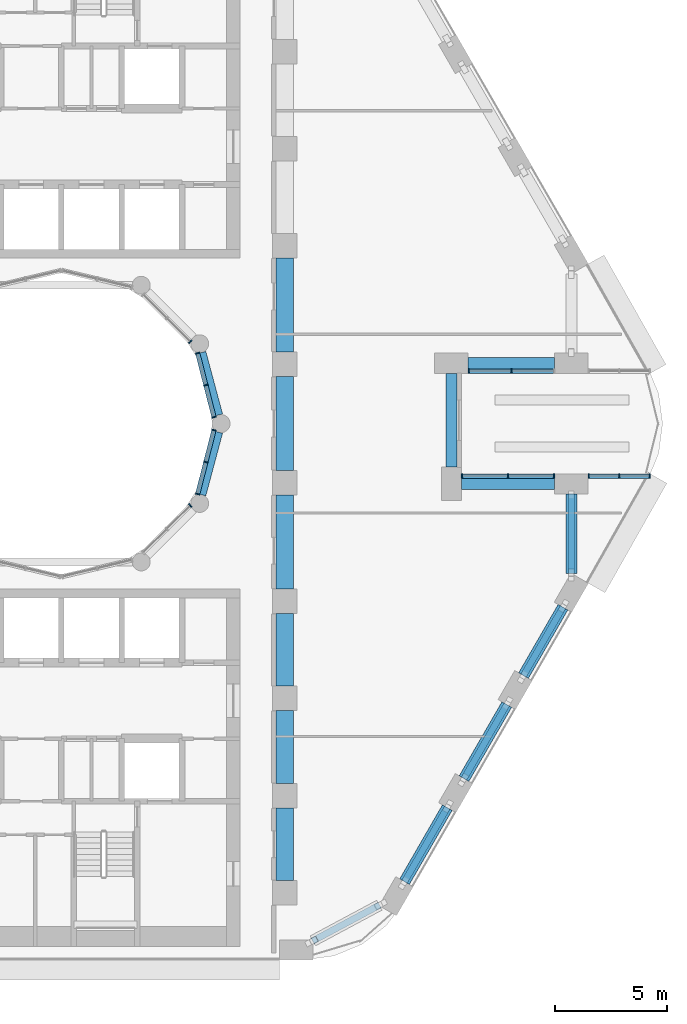
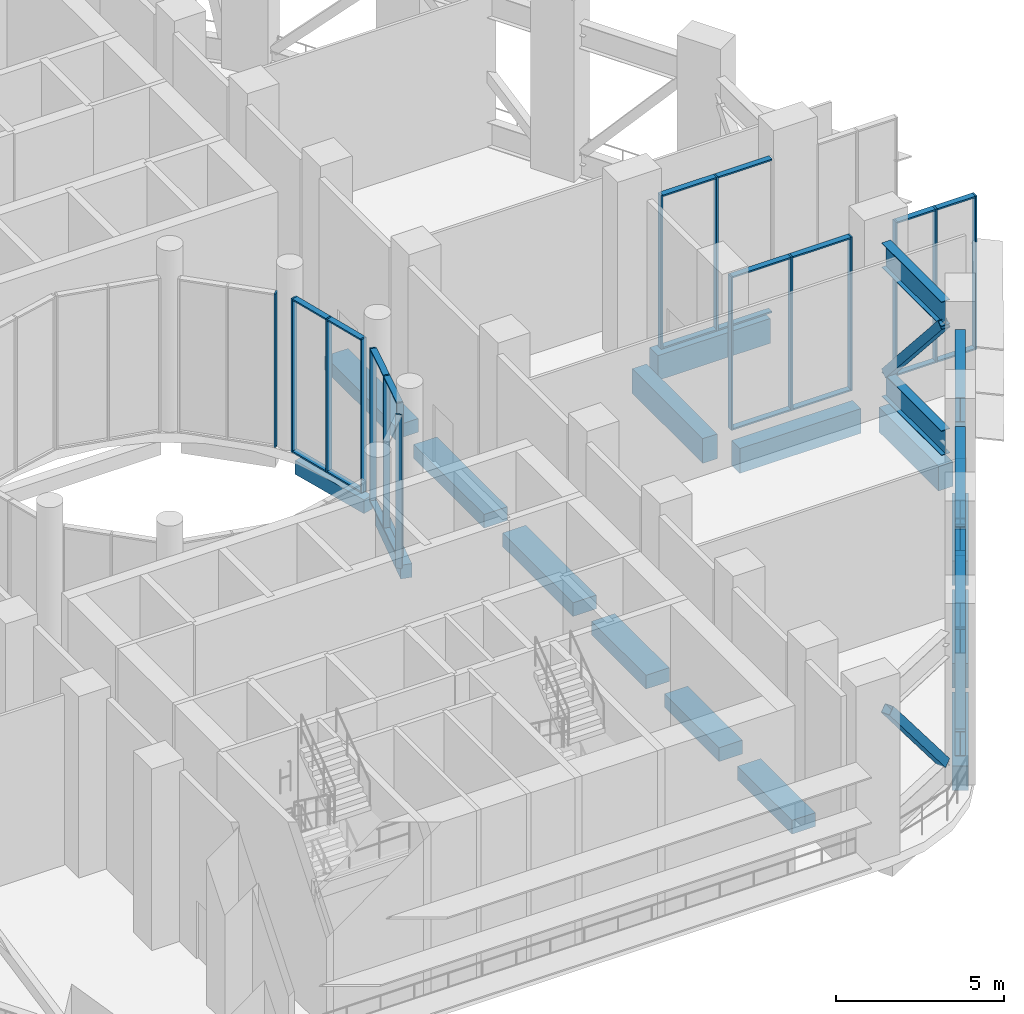
# One storey, part 4 of 20: 49 members, 15 beams, 7 elements without a shape of their own.
"""IFC4 building model written with IfcOpenShell, lengths in metres."""

import ifcopenshell
import ifcopenshell.guid

model = None  # the IFC model being written
_history = None  # IfcOwnerHistory: only IFC2X3 demands one
_inside = {}  # id of a spatial element -> (the spatial element, [elements in it])
_under = {}  # id of a project, library or spatial element -> (it, [spatial elements below it])
_declared = {}  # id of a project -> (the project, [libraries it declares])
_typed = {}  # id of a type object -> (the type object, [elements of that type])
_made_of = {}  # id of a material, layer set ... -> (it, [elements and type objects made of it])


def new_model(schema):
    """Start an empty IFC model of exactly this schema.

    Asked for "IFC4X3", IfcOpenShell would pick the latest addendum, in which some entities
    have other attributes; the version numbers below select the first issue.
    IFC2X3 requires an IfcOwnerHistory on every rooted entity: one is made here for all.
    """
    global model, _history
    if schema == "IFC4X3":
        model = ifcopenshell.file(schema_version=(4, 3, 0, 0))
    else:
        model = ifcopenshell.file(schema=schema)
    _inside.clear()
    _under.clear()
    _declared.clear()
    _typed.clear()
    _made_of.clear()
    _history = None
    if model.schema == "IFC2X3":
        org = make("IfcOrganization", Name="unknown")
        user = make(
            "IfcPersonAndOrganization",
            ThePerson=make("IfcPerson", FamilyName="unknown"),
            TheOrganization=org,
        )
        app = make(
            "IfcApplication",
            ApplicationDeveloper=org,
            Version="unknown",
            ApplicationFullName="unknown",
            ApplicationIdentifier="unknown",
        )
        _history = make(
            "IfcOwnerHistory",
            OwningUser=user,
            OwningApplication=app,
            ChangeAction="ADDED",
            CreationDate=0,
        )
    return model


def make(cls, **values):
    """One entity of the class cls with the attributes given. An attribute that is None is left unset."""
    return model.create_entity(
        cls, **{name: value for name, value in values.items() if value is not None}
    )


def rooted(cls, **values):
    """An entity with a GlobalId (a new one), such as an element, a storey or a relation."""
    return make(cls, GlobalId=ifcopenshell.guid.new(), OwnerHistory=_history, **values)


def si_unit(unit_type, name, prefix=None):
    """IfcSIUnit, for example si_unit("LENGTHUNIT", "METRE", prefix="MILLI")."""
    return make("IfcSIUnit", UnitType=unit_type, Prefix=prefix, Name=name)


def assignment(units):
    """IfcUnitAssignment: the units of a project."""
    return None if units is None else make("IfcUnitAssignment", Units=units)


def point(xyz):
    """IfcCartesianPoint."""
    return None if xyz is None else make("IfcCartesianPoint", Coordinates=xyz)


def direction(xyz):
    """IfcDirection."""
    return None if xyz is None else make("IfcDirection", DirectionRatios=xyz)


def frame(location, z_axis=None, x_axis=None):
    """IfcAxis2Placement3D, a coordinate frame: its origin and axes. An axis left out is left unset."""
    return make(
        "IfcAxis2Placement3D",
        Location=point(location),
        Axis=direction(z_axis),
        RefDirection=direction(x_axis),
    )


def frame_2d(location, x_axis=None):
    """IfcAxis2Placement2D, a coordinate frame in the plane: its origin and x axis."""
    return make(
        "IfcAxis2Placement2D", Location=point(location), RefDirection=direction(x_axis)
    )


def origin():
    """The frame at (0, 0, 0) with its axes left unset."""
    return frame((0.0, 0.0, 0.0))


def origin_2d():
    """The frame at (0, 0) in the plane with its x axis left unset."""
    return frame_2d((0.0, 0.0))


def place(relative_to, where):
    """IfcLocalPlacement: puts the frame where relative to a parent placement (None: the world)."""
    return make(
        "IfcLocalPlacement", PlacementRelTo=relative_to, RelativePlacement=where
    )


def context(
    kind, dimensions, precision=None, world=None, true_north=None, identifier=None
):
    """IfcGeometricRepresentationContext, for example the 3D "Model" context."""
    return make(
        "IfcGeometricRepresentationContext",
        ContextIdentifier=identifier,
        ContextType=kind,
        CoordinateSpaceDimension=dimensions,
        Precision=precision,
        WorldCoordinateSystem=world,
        TrueNorth=true_north,
    )


def subcontext(parent, identifier, kind, view, scale=None):
    """IfcGeometricRepresentationSubContext, for example "Body" below "Model"."""
    return make(
        "IfcGeometricRepresentationSubContext",
        ContextIdentifier=identifier,
        ContextType=kind,
        ParentContext=parent,
        TargetScale=scale,
        TargetView=view,
    )


def project(units=None, contexts=None):
    """IfcProject with its units and contexts."""
    return rooted(
        "IfcProject",
        Name="project",
        RepresentationContexts=contexts,
        UnitsInContext=assignment(units),
    )


def spatial(cls, under=None, at=None, **own):
    """A site, building, storey or space (cls), placed at a placement, below another one or the project."""
    s = rooted(cls, ObjectPlacement=at, **own)
    if under is not None:
        _under.setdefault(under.id(), (under, []))[1].append(s)
    return s


def profile(cls, at=None, kind="AREA", **sizes):
    """A parametric profile (cls). Its sizes go by their IFC names, for example OverallWidth=200.0."""
    return make(cls, ProfileType=kind, Position=at, **sizes)


def rectangle(**sizes):
    """IfcRectangleProfileDef."""
    return profile("IfcRectangleProfileDef", **sizes)


def hollow_rectangle(**sizes):
    """IfcRectangleHollowProfileDef."""
    return profile("IfcRectangleHollowProfileDef", **sizes)


def i_section(**sizes):
    """IfcIShapeProfileDef."""
    return profile("IfcIShapeProfileDef", **sizes)


def extrude(swept, where, along, depth):
    """IfcExtrudedAreaSolid: the profile swept, set in the frame where, extruded along a direction by depth."""
    return make(
        "IfcExtrudedAreaSolid",
        SweptArea=swept,
        Position=where,
        ExtrudedDirection=direction(along),
        Depth=depth,
    )


def shape(context_of_items, identifier, shape_type, items):
    """IfcShapeRepresentation: the items that make up one representation, for example the "Body"."""
    return make(
        "IfcShapeRepresentation",
        ContextOfItems=context_of_items,
        RepresentationIdentifier=identifier,
        RepresentationType=shape_type,
        Items=items,
    )


def material(Name=None, Category=None):
    """IfcMaterial."""
    return make("IfcMaterial", Name=Name, Category=Category)


def layer(
    of_material, thickness, ventilated=None, Name=None, Category=None, Priority=None
):
    """IfcMaterialLayer: one layer of a wall or slab, of a material (None: an air gap)."""
    return make(
        "IfcMaterialLayer",
        Material=of_material,
        LayerThickness=thickness,
        IsVentilated=ventilated,
        Name=Name,
        Category=Category,
        Priority=Priority,
    )


def layer_set(layers, Name=None):
    """IfcMaterialLayerSet."""
    return make("IfcMaterialLayerSet", MaterialLayers=layers, LayerSetName=Name)


def material_profile(
    of_material, cross_section, Name=None, Category=None, Priority=None
):
    """IfcMaterialProfile: a cross section and its material."""
    return make(
        "IfcMaterialProfile",
        Name=Name,
        Material=of_material,
        Profile=cross_section,
        Priority=Priority,
        Category=Category,
    )


def profile_set(profiles, Name=None, composite=None):
    """IfcMaterialProfileSet."""
    return make(
        "IfcMaterialProfileSet",
        Name=Name,
        MaterialProfiles=profiles,
        CompositeProfile=composite,
    )


def made_of(thing, what):
    """Note that an element or type object is made of a material, layer set ...; save() writes the relation."""
    if what is not None:
        _made_of.setdefault(what.id(), (what, []))[1].append(thing)
    return thing


def type_object(cls, material=None, **own):
    """A type object (cls), such as IfcWallType, which elements share."""
    return made_of(rooted(cls, **own), material)


def element(
    cls,
    number,
    at=None,
    inside=None,
    cuts=None,
    type_object=None,
    material=None,
    context=None,
    identifier="Body",
    shape_type=None,
    held_by="IfcProductDefinitionShape",
    body=None,
    shapes=None,
    **own,
):
    """One element of the class cls, such as IfcWall. Its Tag is "e" and its number.

    at: its placement. inside: the storey or other place that contains it. cuts: it is an
    opening in that element (IfcRelVoidsElement). A single representation is given by context,
    identifier, shape_type and body (its items); several are given by shapes. held_by: the class
    of the entity that holds the representations. save() writes the other relations.
    """
    e = rooted(cls, Tag="e%d" % number, ObjectPlacement=at, **own)
    if body is not None:
        shapes = [shape(context, identifier, shape_type, body)]
    if shapes is not None:
        e.Representation = make(held_by, Representations=shapes)
    if inside is not None:
        _inside.setdefault(inside.id(), (inside, []))[1].append(e)
    if cuts is not None:
        rooted(
            "IfcRelVoidsElement", RelatingBuildingElement=cuts, RelatedOpeningElement=e
        )
    if type_object is not None:
        _typed.setdefault(type_object.id(), (type_object, []))[1].append(e)
    return made_of(e, material)


def aggregate(whole, parts):
    """IfcRelAggregates: a whole, such as a stair, and the parts it consists of."""
    return rooted("IfcRelAggregates", RelatingObject=whole, RelatedObjects=parts)


def save(model, path):
    """Write the relations noted so far, then the file.

    IfcRelAggregates (storeys below a building ...), IfcRelContainedInSpatialStructure (elements
    in a storey), IfcRelDefinesByType, IfcRelAssociatesMaterial and IfcRelDeclares: one each for
    every whole, place, type object, material and project.
    """
    for whole, parts in _under.values():
        aggregate(whole, parts)
    for where, things in _inside.values():
        rooted(
            "IfcRelContainedInSpatialStructure",
            RelatedElements=things,
            RelatingStructure=where,
        )
    for kind, things in _typed.values():
        rooted("IfcRelDefinesByType", RelatedObjects=things, RelatingType=kind)
    for what, things in _made_of.values():
        rooted("IfcRelAssociatesMaterial", RelatedObjects=things, RelatingMaterial=what)
    for by, libraries in _declared.values():
        rooted("IfcRelDeclares", RelatingContext=by, RelatedDefinitions=libraries)
    model.write(path)


model = new_model("IFC4")

# Units and contexts
model_context = context("Model", 3, precision=1e-05, world=origin(), true_north=direction((0.0, 1.0)))
body_context = subcontext(model_context, "Body", "Model", "MODEL_VIEW")
ifc_project = project(units=[si_unit("LENGTHUNIT", "METRE"), si_unit("AREAUNIT", "SQUARE_METRE"), si_unit("VOLUMEUNIT", "CUBIC_METRE"), si_unit("PLANEANGLEUNIT", "RADIAN"), si_unit("MASSUNIT", "GRAM", prefix="KILO")], contexts=[model_context])

# Site, building, storey
site_placement = place(None, origin())
site = spatial("IfcSite", under=ifc_project, at=site_placement, CompositionType="ELEMENT")
building_placement = place(site_placement, origin())
building = spatial("IfcBuilding", under=site, at=building_placement, Name="Nakaniwa Court", CompositionType="ELEMENT")
storey_placement = place(building_placement, frame((0.0, 0.0, 71.10009765625)))
storey = spatial("IfcBuildingStorey", under=building, at=storey_placement, Name="S1", CompositionType="ELEMENT", Elevation=71.10009765625)

# Curtain wall, members
ifc_material_1 = material(Name="Black anodised aluminium frame with dark low-E laminated double glazing", Category="aluminium")
ifc_layer = layer(ifc_material_1, 0.199951171875)
ifc_layer_set = layer_set([ifc_layer], Name="Black anodised aluminium frame with dark low-E laminated double glazing")
curtain_wall_type = type_object("IfcCurtainWallType", Name="Amenity and sky level curtain wall", PredefinedType="NOTDEFINED", material=ifc_layer_set)
curtain_wall_1_placement = place(storey_placement, origin())
curtain_wall_1 = element("IfcCurtainWall", 1, at=curtain_wall_1_placement, inside=storey, type_object=curtain_wall_type, Name="S1 curtain wall CW3 36", PredefinedType="NOTDEFINED")
ifc_material_2 = material(Name="Black anodised aluminium extrusion", Category="aluminium")
ifc_material_profile_1 = material_profile(ifc_material_2, rectangle(XDim=0.199951171875, YDim=0.054931640625, at=origin_2d()), Name="Amenity and sky level curtain wall mullion 55x200")
ifc_profile_set_1 = profile_set([ifc_material_profile_1], Name="Black anodised aluminium extrusion")
member_type_1 = type_object("IfcMemberType", Name="Amenity and sky level curtain wall mullion 55x200", PredefinedType="MULLION", material=ifc_profile_set_1)
member_1_placement = place(storey_placement, frame((86.829345703125, 79.70947265625, 0.0), z_axis=(0.0, 0.0, 1.0), x_axis=(0.968986463302, -0.247113807661, 0.0)))
member_1 = element("IfcMember", 2, at=member_1_placement, type_object=member_type_1, Name="CW3 mullion 1", PredefinedType="MULLION", context=body_context, shape_type="SweptSolid", body=[
    extrude(rectangle(XDim=0.199951171875, YDim=0.054931640625, at=origin_2d()), origin(), (0.0, 0.0, 1.0), 5.58984375),
])
member_2_placement = place(storey_placement, frame((86.46435546875, 78.27783203125, 0.0), z_axis=(0.0, 0.0, 1.0), x_axis=(0.968986463302, -0.247113807661, 0.0)))
member_2 = element("IfcMember", 3, at=member_2_placement, type_object=member_type_1, Name="CW3 mullion 2", PredefinedType="MULLION", context=body_context, shape_type="SweptSolid", body=[
    extrude(rectangle(XDim=0.199951171875, YDim=0.054931640625, at=origin_2d()), origin(), (0.0, 0.0, 1.0), 5.58984375),
])
member_3_placement = place(storey_placement, frame((86.09912109375, 76.84619140625, 0.0), z_axis=(0.0, 0.0, 1.0), x_axis=(0.968986463302, -0.247113807661, 0.0)))
member_3 = element("IfcMember", 4, at=member_3_placement, type_object=member_type_1, Name="CW3 mullion 3", PredefinedType="MULLION", context=body_context, shape_type="SweptSolid", body=[
    extrude(rectangle(XDim=0.199951171875, YDim=0.054931640625, at=origin_2d()), origin(), (0.0, 0.0, 1.0), 5.58984375),
])

# Curtain wall, member
curtain_wall_2_placement = place(storey_placement, origin())
curtain_wall_2 = element("IfcCurtainWall", 5, at=curtain_wall_2_placement, inside=storey, type_object=curtain_wall_type, Name="S1 curtain wall CW3 37", PredefinedType="NOTDEFINED")
member_4_placement = place(storey_placement, frame((85.7685546875, 76.33740234375, 0.0), z_axis=(0.0, 0.0, 1.0), x_axis=(0.707106781187, -0.707106781187, 0.0)))
member_4 = element("IfcMember", 6, at=member_4_placement, type_object=member_type_1, Name="CW3 mullion 1", PredefinedType="MULLION", context=body_context, shape_type="SweptSolid", body=[
    extrude(rectangle(XDim=0.199951171875, YDim=0.054931640625, at=origin_2d()), origin(), (0.0, 0.0, 1.0), 5.58984375),
])
aggregate(curtain_wall_2, [member_4])

curtain_wall_3_placement = place(storey_placement, origin())
curtain_wall_3 = element("IfcCurtainWall", 7, at=curtain_wall_3_placement, inside=storey, type_object=curtain_wall_type, Name="S1 curtain wall CW3 46", PredefinedType="NOTDEFINED")
member_5_placement = place(storey_placement, frame((85.7685546875, 83.66259765625, 0.0), z_axis=(0.0, 0.0, 1.0), x_axis=(0.707106781187, 0.707106781187, 0.0)))
member_5 = element("IfcMember", 8, at=member_5_placement, type_object=member_type_1, Name="CW3 mullion 3", PredefinedType="MULLION", context=body_context, shape_type="SweptSolid", body=[
    extrude(rectangle(XDim=0.199951171875, YDim=0.054931640625, at=origin_2d()), origin(), (0.0, 0.0, 1.0), 5.58984375),
])
aggregate(curtain_wall_3, [member_5])

# Curtain wall, members
curtain_wall_4_placement = place(storey_placement, origin())
curtain_wall_4 = element("IfcCurtainWall", 9, at=curtain_wall_4_placement, inside=storey, type_object=curtain_wall_type, Name="S1 curtain wall CW3 47", PredefinedType="NOTDEFINED")
member_6_placement = place(storey_placement, frame((86.09912109375, 83.15380859375, 0.0), z_axis=(0.0, 0.0, 1.0), x_axis=(0.968986463302, 0.247113807661, 0.0)))
member_6 = element("IfcMember", 10, at=member_6_placement, type_object=member_type_1, Name="CW3 mullion 1", PredefinedType="MULLION", context=body_context, shape_type="SweptSolid", body=[
    extrude(rectangle(XDim=0.199951171875, YDim=0.054931640625, at=origin_2d()), origin(), (0.0, 0.0, 1.0), 5.58984375),
])
member_7_placement = place(storey_placement, frame((86.46435546875, 81.72216796875, 0.0), z_axis=(0.0, 0.0, 1.0), x_axis=(0.968986463302, 0.247113807661, 0.0)))
member_7 = element("IfcMember", 11, at=member_7_placement, type_object=member_type_1, Name="CW3 mullion 2", PredefinedType="MULLION", context=body_context, shape_type="SweptSolid", body=[
    extrude(rectangle(XDim=0.199951171875, YDim=0.054931640625, at=origin_2d()), origin(), (0.0, 0.0, 1.0), 5.58984375),
])
member_8_placement = place(storey_placement, frame((86.829345703125, 80.29052734375, 0.0), z_axis=(0.0, 0.0, 1.0), x_axis=(0.968986463302, 0.247113807661, 0.0)))
member_8 = element("IfcMember", 12, at=member_8_placement, type_object=member_type_1, Name="CW3 mullion 3", PredefinedType="MULLION", context=body_context, shape_type="SweptSolid", body=[
    extrude(rectangle(XDim=0.199951171875, YDim=0.054931640625, at=origin_2d()), origin(), (0.0, 0.0, 1.0), 5.58984375),
])

curtain_wall_5_placement = place(storey_placement, origin())
curtain_wall_5 = element("IfcCurtainWall", 13, at=curtain_wall_5_placement, inside=storey, type_object=curtain_wall_type, Name="S1 curtain wall CW3 00", PredefinedType="NOTDEFINED")
member_9_placement = place(storey_placement, frame((98.23193359375, 82.35009765625, 0.0), z_axis=(0.0, 0.0, 1.0), x_axis=(0.0, 1.0, 0.0)))
member_9 = element("IfcMember", 14, at=member_9_placement, type_object=member_type_1, Name="CW3 mullion 1", PredefinedType="MULLION", context=body_context, shape_type="SweptSolid", body=[
    extrude(rectangle(XDim=0.199951171875, YDim=0.054931640625, at=origin_2d()), origin(), (0.0, 0.0, 1.0), 5.58984375),
])
member_10_placement = place(storey_placement, frame((100.140625, 82.35009765625, 0.0), z_axis=(0.0, 0.0, 1.0), x_axis=(0.0, 1.0, 0.0)))
member_10 = element("IfcMember", 15, at=member_10_placement, type_object=member_type_1, Name="CW3 mullion 2", PredefinedType="MULLION", context=body_context, shape_type="SweptSolid", body=[
    extrude(rectangle(XDim=0.199951171875, YDim=0.054931640625, at=origin_2d()), origin(), (0.0, 0.0, 1.0), 5.58984375),
])

curtain_wall_6_placement = place(storey_placement, origin())
curtain_wall_6 = element("IfcCurtainWall", 16, at=curtain_wall_6_placement, inside=storey, type_object=curtain_wall_type, Name="S1 curtain wall CW3 33", PredefinedType="NOTDEFINED")
member_11_placement = place(storey_placement, frame((106.3291015625, 77.64990234375, 0.0), z_axis=(0.0, 0.0, 1.0), x_axis=(0.0, -1.0, 0.0)))
member_11 = element("IfcMember", 17, at=member_11_placement, type_object=member_type_1, Name="CW3 mullion 1", PredefinedType="MULLION", context=body_context, shape_type="SweptSolid", body=[
    extrude(rectangle(XDim=0.199951171875, YDim=0.054931640625, at=origin_2d()), origin(), (0.0, 0.0, 1.0), 5.58984375),
])
member_12_placement = place(storey_placement, frame((104.962890625, 77.64990234375, 0.0), z_axis=(0.0, 0.0, 1.0), x_axis=(0.0, -1.0, 0.0)))
member_12 = element("IfcMember", 18, at=member_12_placement, type_object=member_type_1, Name="CW3 mullion 2", PredefinedType="MULLION", context=body_context, shape_type="SweptSolid", body=[
    extrude(rectangle(XDim=0.199951171875, YDim=0.054931640625, at=origin_2d()), origin(), (0.0, 0.0, 1.0), 5.58984375),
])
member_13_placement = place(storey_placement, frame((103.596435546875, 77.64990234375, 0.0), z_axis=(0.0, 0.0, 1.0), x_axis=(0.0, -1.0, 0.0)))
member_13 = element("IfcMember", 19, at=member_13_placement, type_object=member_type_1, Name="CW3 mullion 3", PredefinedType="MULLION", context=body_context, shape_type="SweptSolid", body=[
    extrude(rectangle(XDim=0.199951171875, YDim=0.054931640625, at=origin_2d()), origin(), (0.0, 0.0, 1.0), 5.58984375),
])

curtain_wall_7_placement = place(storey_placement, origin())
curtain_wall_7 = element("IfcCurtainWall", 20, at=curtain_wall_7_placement, inside=storey, type_object=curtain_wall_type, Name="S1 curtain wall CW3 34", PredefinedType="NOTDEFINED")
member_14_placement = place(storey_placement, frame((102.04931640625, 77.64990234375, 0.0), z_axis=(0.0, 0.0, 1.0), x_axis=(0.0, -1.0, 0.0)))
member_14 = element("IfcMember", 21, at=member_14_placement, type_object=member_type_1, Name="CW3 mullion 1", PredefinedType="MULLION", context=body_context, shape_type="SweptSolid", body=[
    extrude(rectangle(XDim=0.199951171875, YDim=0.054931640625, at=origin_2d()), origin(), (0.0, 0.0, 1.0), 5.58984375),
])
member_15_placement = place(storey_placement, frame((99.99072265625, 77.64990234375, 0.0), z_axis=(0.0, 0.0, 1.0), x_axis=(0.0, -1.0, 0.0)))
member_15 = element("IfcMember", 22, at=member_15_placement, type_object=member_type_1, Name="CW3 mullion 2", PredefinedType="MULLION", context=body_context, shape_type="SweptSolid", body=[
    extrude(rectangle(XDim=0.199951171875, YDim=0.054931640625, at=origin_2d()), origin(), (0.0, 0.0, 1.0), 5.58984375),
])
member_16_placement = place(storey_placement, frame((97.931884765625, 77.64990234375, 0.0), z_axis=(0.0, 0.0, 1.0), x_axis=(0.0, -1.0, 0.0)))
member_16 = element("IfcMember", 23, at=member_16_placement, type_object=member_type_1, Name="CW3 mullion 3", PredefinedType="MULLION", context=body_context, shape_type="SweptSolid", body=[
    extrude(rectangle(XDim=0.199951171875, YDim=0.054931640625, at=origin_2d()), origin(), (0.0, 0.0, 1.0), 5.58984375),
])

# Member
ifc_material_profile_2 = material_profile(ifc_material_2, rectangle(XDim=0.199951171875, YDim=0.054931640625, at=origin_2d()), Name="Amenity and sky level curtain wall transom 55x200")
ifc_profile_set_2 = profile_set([ifc_material_profile_2], Name="Black anodised aluminium extrusion")
member_type_2 = type_object("IfcMemberType", Name="Amenity and sky level curtain wall transom 55x200", PredefinedType="USERDEFINED", material=ifc_profile_set_2)
member_17_placement = place(storey_placement, frame((86.822509765625, 79.682861328125, 0.02734375), z_axis=(-0.24697526524, -0.969021784255, 0.0), x_axis=(0.969021784255, -0.24697526524, 0.0)))
member_17 = element("IfcMember", 24, at=member_17_placement, type_object=member_type_2, Name="CW3 transom 1.1", ObjectType="TRANSOM", PredefinedType="USERDEFINED", context=body_context, shape_type="SweptSolid", body=[
    extrude(rectangle(XDim=0.199951171875, YDim=0.054931640625, at=origin_2d()), origin(), (0.0, 0.0, 1.0), 1.42236328125),
])

member_18_placement = place(storey_placement, frame((86.822509765625, 79.682861328125, 5.5625), z_axis=(-0.24697526524, -0.969021784255, 0.0), x_axis=(0.969021784255, -0.24697526524, 0.0)))
member_18 = element("IfcMember", 25, at=member_18_placement, type_object=member_type_2, Name="CW3 transom 1.2", ObjectType="TRANSOM", PredefinedType="USERDEFINED", context=body_context, shape_type="SweptSolid", body=[
    extrude(rectangle(XDim=0.199951171875, YDim=0.054931640625, at=origin_2d()), origin(), (0.0, 0.0, 1.0), 1.42236328125),
])

member_19_placement = place(storey_placement, frame((86.45751953125, 78.251220703125, 0.02734375), z_axis=(-0.247136415914, -0.968980697398, 0.0), x_axis=(0.968980697398, -0.247136415914, 0.0)))
member_19 = element("IfcMember", 26, at=member_19_placement, type_object=member_type_2, Name="CW3 transom 2.1", ObjectType="TRANSOM", PredefinedType="USERDEFINED", context=body_context, shape_type="SweptSolid", body=[
    extrude(rectangle(XDim=0.199951171875, YDim=0.054931640625, at=origin_2d()), origin(), (0.0, 0.0, 1.0), 1.422607421875),
])

member_20_placement = place(storey_placement, frame((86.45751953125, 78.251220703125, 5.5625), z_axis=(-0.247136415914, -0.968980697398, 0.0), x_axis=(0.968980697398, -0.247136415914, 0.0)))
member_20 = element("IfcMember", 27, at=member_20_placement, type_object=member_type_2, Name="CW3 transom 2.2", ObjectType="TRANSOM", PredefinedType="USERDEFINED", context=body_context, shape_type="SweptSolid", body=[
    extrude(rectangle(XDim=0.199951171875, YDim=0.054931640625, at=origin_2d()), origin(), (0.0, 0.0, 1.0), 1.422607421875),
])

aggregate(curtain_wall_1, [member_1, member_2, member_3, member_17, member_18, member_19, member_20])

member_21_placement = place(storey_placement, frame((86.10595703125, 83.127197265625, 0.02734375), z_axis=(0.247136415914, -0.968980697398, 0.0), x_axis=(0.968980697398, 0.247136415914, 0.0)))
member_21 = element("IfcMember", 28, at=member_21_placement, type_object=member_type_2, Name="CW3 transom 1.1", ObjectType="TRANSOM", PredefinedType="USERDEFINED", context=body_context, shape_type="SweptSolid", body=[
    extrude(rectangle(XDim=0.199951171875, YDim=0.054931640625, at=origin_2d()), origin(), (0.0, 0.0, 1.0), 1.422607421875),
])

member_22_placement = place(storey_placement, frame((86.10595703125, 83.127197265625, 5.5625), z_axis=(0.247136415914, -0.968980697398, 0.0), x_axis=(0.968980697398, 0.247136415914, 0.0)))
member_22 = element("IfcMember", 29, at=member_22_placement, type_object=member_type_2, Name="CW3 transom 1.2", ObjectType="TRANSOM", PredefinedType="USERDEFINED", context=body_context, shape_type="SweptSolid", body=[
    extrude(rectangle(XDim=0.199951171875, YDim=0.054931640625, at=origin_2d()), origin(), (0.0, 0.0, 1.0), 1.422607421875),
])

member_23_placement = place(storey_placement, frame((86.47119140625, 81.695556640625, 0.02734375), z_axis=(0.24697526524, -0.969021784255, 0.0), x_axis=(0.969021784255, 0.24697526524, 0.0)))
member_23 = element("IfcMember", 30, at=member_23_placement, type_object=member_type_2, Name="CW3 transom 2.1", ObjectType="TRANSOM", PredefinedType="USERDEFINED", context=body_context, shape_type="SweptSolid", body=[
    extrude(rectangle(XDim=0.199951171875, YDim=0.054931640625, at=origin_2d()), origin(), (0.0, 0.0, 1.0), 1.42236328125),
])

member_24_placement = place(storey_placement, frame((86.47119140625, 81.695556640625, 5.5625), z_axis=(0.24697526524, -0.969021784255, 0.0), x_axis=(0.969021784255, 0.24697526524, 0.0)))
member_24 = element("IfcMember", 31, at=member_24_placement, type_object=member_type_2, Name="CW3 transom 2.2", ObjectType="TRANSOM", PredefinedType="USERDEFINED", context=body_context, shape_type="SweptSolid", body=[
    extrude(rectangle(XDim=0.199951171875, YDim=0.054931640625, at=origin_2d()), origin(), (0.0, 0.0, 1.0), 1.42236328125),
])

aggregate(curtain_wall_4, [member_6, member_7, member_8, member_21, member_22, member_23, member_24])

member_25_placement = place(storey_placement, frame((98.259521484375, 82.35009765625, 0.02734375), z_axis=(1.0, 0.0, 0.0), x_axis=(0.0, 1.0, 0.0)))
member_25 = element("IfcMember", 32, at=member_25_placement, type_object=member_type_2, Name="CW3 transom 1.1", ObjectType="TRANSOM", PredefinedType="USERDEFINED", context=body_context, shape_type="SweptSolid", body=[
    extrude(rectangle(XDim=0.199951171875, YDim=0.054931640625, at=origin_2d()), origin(), (0.0, 0.0, 1.0), 1.853515625),
])

member_26_placement = place(storey_placement, frame((98.259521484375, 82.35009765625, 5.5625), z_axis=(1.0, 0.0, 0.0), x_axis=(0.0, 1.0, 0.0)))
member_26 = element("IfcMember", 33, at=member_26_placement, type_object=member_type_2, Name="CW3 transom 1.2", ObjectType="TRANSOM", PredefinedType="USERDEFINED", context=body_context, shape_type="SweptSolid", body=[
    extrude(rectangle(XDim=0.199951171875, YDim=0.054931640625, at=origin_2d()), origin(), (0.0, 0.0, 1.0), 1.853515625),
])

member_27_placement = place(storey_placement, frame((100.168212890625, 82.35009765625, 0.02734375), z_axis=(1.0, 0.0, 0.0), x_axis=(0.0, 1.0, 0.0)))
member_27 = element("IfcMember", 34, at=member_27_placement, type_object=member_type_2, Name="CW3 transom 2.1", ObjectType="TRANSOM", PredefinedType="USERDEFINED", context=body_context, shape_type="SweptSolid", body=[
    extrude(rectangle(XDim=0.199951171875, YDim=0.054931640625, at=origin_2d()), origin(), (0.0, 0.0, 1.0), 1.853759765625),
])

member_28_placement = place(storey_placement, frame((100.168212890625, 82.35009765625, 5.5625), z_axis=(1.0, 0.0, 0.0), x_axis=(0.0, 1.0, 0.0)))
member_28 = element("IfcMember", 35, at=member_28_placement, type_object=member_type_2, Name="CW3 transom 2.2", ObjectType="TRANSOM", PredefinedType="USERDEFINED", context=body_context, shape_type="SweptSolid", body=[
    extrude(rectangle(XDim=0.199951171875, YDim=0.054931640625, at=origin_2d()), origin(), (0.0, 0.0, 1.0), 1.853759765625),
])

aggregate(curtain_wall_5, [member_9, member_10, member_25, member_26, member_27, member_28])

member_29_placement = place(storey_placement, frame((106.3017578125, 77.64990234375, 0.02734375), z_axis=(-1.0, 0.0, 0.0), x_axis=(0.0, -1.0, 0.0)))
member_29 = element("IfcMember", 36, at=member_29_placement, type_object=member_type_2, Name="CW3 transom 1.1", ObjectType="TRANSOM", PredefinedType="USERDEFINED", context=body_context, shape_type="SweptSolid", body=[
    extrude(rectangle(XDim=0.199951171875, YDim=0.054931640625, at=origin_2d()), origin(), (0.0, 0.0, 1.0), 1.3115234375),
])

member_30_placement = place(storey_placement, frame((106.3017578125, 77.64990234375, 5.5625), z_axis=(-1.0, 0.0, 0.0), x_axis=(0.0, -1.0, 0.0)))
member_30 = element("IfcMember", 37, at=member_30_placement, type_object=member_type_2, Name="CW3 transom 1.2", ObjectType="TRANSOM", PredefinedType="USERDEFINED", context=body_context, shape_type="SweptSolid", body=[
    extrude(rectangle(XDim=0.199951171875, YDim=0.054931640625, at=origin_2d()), origin(), (0.0, 0.0, 1.0), 1.3115234375),
])

member_31_placement = place(storey_placement, frame((104.935302734375, 77.64990234375, 0.02734375), z_axis=(-1.0, 0.0, 0.0), x_axis=(0.0, -1.0, 0.0)))
member_31 = element("IfcMember", 38, at=member_31_placement, type_object=member_type_2, Name="CW3 transom 2.1", ObjectType="TRANSOM", PredefinedType="USERDEFINED", context=body_context, shape_type="SweptSolid", body=[
    extrude(rectangle(XDim=0.199951171875, YDim=0.054931640625, at=origin_2d()), origin(), (0.0, 0.0, 1.0), 1.3115234375),
])

member_32_placement = place(storey_placement, frame((104.935302734375, 77.64990234375, 5.5625), z_axis=(-1.0, 0.0, 0.0), x_axis=(0.0, -1.0, 0.0)))
member_32 = element("IfcMember", 39, at=member_32_placement, type_object=member_type_2, Name="CW3 transom 2.2", ObjectType="TRANSOM", PredefinedType="USERDEFINED", context=body_context, shape_type="SweptSolid", body=[
    extrude(rectangle(XDim=0.199951171875, YDim=0.054931640625, at=origin_2d()), origin(), (0.0, 0.0, 1.0), 1.3115234375),
])

aggregate(curtain_wall_6, [member_11, member_12, member_13, member_29, member_30, member_31, member_32])

member_33_placement = place(storey_placement, frame((102.02197265625, 77.64990234375, 0.02734375), z_axis=(-1.0, 0.0, 0.0), x_axis=(0.0, -1.0, 0.0)))
member_33 = element("IfcMember", 40, at=member_33_placement, type_object=member_type_2, Name="CW3 transom 1.1", ObjectType="TRANSOM", PredefinedType="USERDEFINED", context=body_context, shape_type="SweptSolid", body=[
    extrude(rectangle(XDim=0.199951171875, YDim=0.054931640625, at=origin_2d()), origin(), (0.0, 0.0, 1.0), 2.00390625),
])

member_34_placement = place(storey_placement, frame((102.02197265625, 77.64990234375, 5.5625), z_axis=(-1.0, 0.0, 0.0), x_axis=(0.0, -1.0, 0.0)))
member_34 = element("IfcMember", 41, at=member_34_placement, type_object=member_type_2, Name="CW3 transom 1.2", ObjectType="TRANSOM", PredefinedType="USERDEFINED", context=body_context, shape_type="SweptSolid", body=[
    extrude(rectangle(XDim=0.199951171875, YDim=0.054931640625, at=origin_2d()), origin(), (0.0, 0.0, 1.0), 2.00390625),
])

member_35_placement = place(storey_placement, frame((99.963134765625, 77.64990234375, 0.02734375), z_axis=(-1.0, 0.0, 0.0), x_axis=(0.0, -1.0, 0.0)))
member_35 = element("IfcMember", 42, at=member_35_placement, type_object=member_type_2, Name="CW3 transom 2.1", ObjectType="TRANSOM", PredefinedType="USERDEFINED", context=body_context, shape_type="SweptSolid", body=[
    extrude(rectangle(XDim=0.199951171875, YDim=0.054931640625, at=origin_2d()), origin(), (0.0, 0.0, 1.0), 2.003662109375),
])

member_36_placement = place(storey_placement, frame((99.963134765625, 77.64990234375, 5.5625), z_axis=(-1.0, 0.0, 0.0), x_axis=(0.0, -1.0, 0.0)))
member_36 = element("IfcMember", 43, at=member_36_placement, type_object=member_type_2, Name="CW3 transom 2.2", ObjectType="TRANSOM", PredefinedType="USERDEFINED", context=body_context, shape_type="SweptSolid", body=[
    extrude(rectangle(XDim=0.199951171875, YDim=0.054931640625, at=origin_2d()), origin(), (0.0, 0.0, 1.0), 2.003662109375),
])

aggregate(curtain_wall_7, [member_14, member_15, member_16, member_33, member_34, member_35, member_36])

# Members
ifc_material_3 = material(Name="Steel Grade 350", Category="steel")
ifc_material_profile_3 = material_profile(ifc_material_3, i_section(OverallWidth=0.300048828125, OverallDepth=0.89990234375, WebThickness=0.011962890625, FlangeThickness=0.02001953125, at=origin_2d()), Name="900WB175")
ifc_profile_set_3 = profile_set([ifc_material_profile_3], Name="Steel Grade 350")
member_type_3 = type_object("IfcMemberType", Name="BELT chord 900 WB175", PredefinedType="CHORD", material=ifc_profile_set_3)
for number, where, z_axis, x_axis, name in (
    (44, (95.357421875, 59.5, 0.449951171875), (0.500009674092, 0.866019818373, 0.0), (-0.866019818373, 0.500009674092, 0.0), "BELT CHORD BT-13-B"),
    (45, (95.357421875, 59.5, 5.139892578125), (0.500009674092, 0.866019818373, 0.0), (-0.866019818373, 0.500009674092, 0.0), "BELT CHORD BT-13-T"),
):
    element("IfcMember", number, at=place(storey_placement, frame(where, z_axis=z_axis, x_axis=x_axis)), inside=storey, type_object=member_type_3, Name=name, PredefinedType="CHORD", context=body_context, shape_type="SweptSolid", body=[
        extrude(i_section(OverallWidth=0.300048828125, OverallDepth=0.89990234375, WebThickness=0.011962890625, FlangeThickness=0.02001953125, at=origin_2d()), origin(), (0.0, 0.0, 1.0), 3.826171875),
    ])
for number, where, z_axis, x_axis, name in (
    (46, (98.0205078125, 64.1123046875, 0.449951171875), (0.499961815444, 0.866047448526, 0.0), (-0.866047448526, 0.499961815444, 0.0), "BELT CHORD BT-14-B"),
    (47, (98.0205078125, 64.1123046875, 5.139892578125), (0.499961815444, 0.866047448526, 0.0), (-0.866047448526, 0.499961815444, 0.0), "BELT CHORD BT-14-T"),
):
    element("IfcMember", number, at=place(storey_placement, frame(where, z_axis=z_axis, x_axis=x_axis)), inside=storey, type_object=member_type_3, Name=name, PredefinedType="CHORD", context=body_context, shape_type="SweptSolid", body=[
        extrude(i_section(OverallWidth=0.300048828125, OverallDepth=0.89990234375, WebThickness=0.011962890625, FlangeThickness=0.02001953125, at=origin_2d()), origin(), (0.0, 0.0, 1.0), 3.825927734375),
    ])
for number, where, z_axis, x_axis, name in (
    (48, (100.683349609375, 68.724853515625, 0.449951171875), (0.500067800301, 0.865986255723, 0.0), (-0.865986255723, 0.500067800301, 0.0), "BELT CHORD BT-15-B"),
    (49, (100.683349609375, 68.724853515625, 5.139892578125), (0.500067800301, 0.865986255723, 0.0), (-0.865986255723, 0.500067800301, 0.0), "BELT CHORD BT-15-T"),
):
    element("IfcMember", number, at=place(storey_placement, frame(where, z_axis=z_axis, x_axis=x_axis)), inside=storey, type_object=member_type_3, Name=name, PredefinedType="CHORD", context=body_context, shape_type="SweptSolid", body=[
        extrude(i_section(OverallWidth=0.300048828125, OverallDepth=0.89990234375, WebThickness=0.011962890625, FlangeThickness=0.02001953125, at=origin_2d()), origin(), (0.0, 0.0, 1.0), 3.52880859375),
    ])
for number, where, z_axis, x_axis, name in (
    (50, (102.822998046875, 73.29638671875, 0.449951171875), (0.0, 1.0, 0.0), (-1.0, 0.0, 0.0), "BELT CHORD BT-16-B"),
    (51, (102.822998046875, 73.29638671875, 5.139892578125), (0.0, 1.0, 0.0), (-1.0, 0.0, 0.0), "BELT CHORD BT-16-T"),
):
    element("IfcMember", number, at=place(storey_placement, frame(where, z_axis=z_axis, x_axis=x_axis)), inside=storey, type_object=member_type_3, Name=name, PredefinedType="CHORD", context=body_context, shape_type="SweptSolid", body=[
        extrude(i_section(OverallWidth=0.300048828125, OverallDepth=0.89990234375, WebThickness=0.011962890625, FlangeThickness=0.02001953125, at=origin_2d()), origin(), (0.0, 0.0, 1.0), 3.5537109375),
    ])
ifc_material_profile_4 = material_profile(ifc_material_3, hollow_rectangle(XDim=0.300048828125, YDim=0.300048828125, WallThickness=0.012451171875, at=origin_2d()), Name="BELT diagonal 300x300x12.5 SHS")
ifc_profile_set_4 = profile_set([ifc_material_profile_4], Name="Steel Grade 350")
member_type_4 = type_object("IfcMemberType", Name="BELT diagonal 300x300x12.5 SHS", PredefinedType="BRACE", material=ifc_profile_set_4)
member_37_placement = place(storey_placement, frame((91.34521484375, 56.8994140625, 4.68994140625), z_axis=(0.565715909912, 0.303453688711, -0.766734222583), x_axis=(-0.472695313242, 0.881225930644, 0.0)))
element("IfcMember", 52, at=member_37_placement, inside=storey, type_object=member_type_4, Name="BELT DIAGONAL BT-12-D", PredefinedType="BRACE", context=body_context, shape_type="SweptSolid", body=[
    extrude(hollow_rectangle(XDim=0.300048828125, YDim=0.300048828125, WallThickness=0.012451171875, at=origin_2d()), origin(), (0.0, 0.0, 1.0), 4.943115234375),
])
for number, where, z_axis, x_axis, name in (
    (53, (95.407470703125, 59.586669921875, 0.89990234375), (0.345649268682, 0.598672353055, 0.722577329251), (-0.866021880676, 0.500006102154, 0.0), "BELT DIAGONAL BT-13-D"),
    (54, (98.070556640625, 64.198974609375, 4.68994140625), (0.34560828286, 0.598681984396, -0.722588953955), (-0.866051035956, 0.499955601149, 0.0), "BELT DIAGONAL BT-14-D"),
):
    element("IfcMember", number, at=place(storey_placement, frame(where, z_axis=z_axis, x_axis=x_axis)), inside=storey, type_object=member_type_4, Name=name, PredefinedType="BRACE", context=body_context, shape_type="SweptSolid", body=[
        extrude(hollow_rectangle(XDim=0.300048828125, YDim=0.300048828125, WallThickness=0.012451171875, at=origin_2d()), origin(), (0.0, 0.0, 1.0), 5.2451171875),
    ])
member_38_placement = place(storey_placement, frame((100.7333984375, 68.811279296875, 0.89990234375), z_axis=(0.329981477951, 0.571490362518, 0.75133946373), x_axis=(-0.866004823592, 0.500035644245, 0.0)))
element("IfcMember", 55, at=member_38_placement, inside=storey, type_object=member_type_4, Name="BELT DIAGONAL BT-15-D", PredefinedType="BRACE", context=body_context, shape_type="SweptSolid", body=[
    extrude(hollow_rectangle(XDim=0.300048828125, YDim=0.300048828125, WallThickness=0.012451171875, at=origin_2d()), origin(), (0.0, 0.0, 1.0), 5.04443359375),
])
member_39_placement = place(storey_placement, frame((102.822998046875, 73.396240234375, 4.68994140625), z_axis=(0.0, 0.662688372076, -0.748895267388), x_axis=(-1.0, 0.0, 0.0)))
element("IfcMember", 56, at=member_39_placement, inside=storey, type_object=member_type_4, Name="BELT DIAGONAL BT-16-D", PredefinedType="BRACE", context=body_context, shape_type="SweptSolid", body=[
    extrude(hollow_rectangle(XDim=0.300048828125, YDim=0.300048828125, WallThickness=0.012451171875, at=origin_2d()), origin(), (0.0, 0.0, 1.0), 5.060791015625),
])

# Beams
ifc_material_4 = material(Name="Concrete C80/100", Category="concrete")
ifc_material_profile_5 = material_profile(ifc_material_4, rectangle(XDim=0.35009765625, YDim=0.5, at=origin_2d()), Name="Concrete C80/100 RC 350x500 ring beam")
ifc_profile_set_5 = profile_set([ifc_material_profile_5], Name="Concrete C80/100")
beam_type_1 = type_object("IfcBeamType", Name="Concrete C80/100 RC 350x500 ring beam", PredefinedType="BEAM", material=ifc_profile_set_5)
for number, where, z_axis, x_axis, name in (
    (57, (87.04638671875, 80.386474609375, -0.60009765625), (-0.258778150207, 0.965936783115, 0.0), (-0.965936783115, -0.258778150207, 0.0), "RING BEAM"),
    (58, (86.295654296875, 76.811279296875, -0.60009765625), (0.258778150207, 0.965936783115, 0.0), (-0.965936783115, 0.258778150207, 0.0), "RING BEAM"),
):
    element("IfcBeam", number, at=place(storey_placement, frame(where, z_axis=z_axis, x_axis=x_axis)), inside=storey, type_object=beam_type_1, Name=name, PredefinedType="BEAM", context=body_context, shape_type="SweptSolid", body=[
        extrude(rectangle(XDim=0.35009765625, YDim=0.5, at=origin_2d()), origin(), (0.0, 0.0, 1.0), 2.901123046875),
    ])
ifc_material_profile_6 = material_profile(ifc_material_4, rectangle(XDim=0.5, YDim=0.89990234375, at=origin_2d()), Name="Concrete C80/100 RC 500x900 spandrel beam")
ifc_profile_set_6 = profile_set([ifc_material_profile_6], Name="Concrete C80/100")
beam_type_2 = type_object("IfcBeamType", Name="Concrete C80/100 RC 500x900 spandrel beam", PredefinedType="BEAM", material=ifc_profile_set_6)
beam_1_placement = place(storey_placement, frame((95.357421875, 59.5, -0.800048828125), z_axis=(0.500009674092, 0.866019818373, 0.0), x_axis=(-0.866019818373, 0.500009674092, 0.0)))
element("IfcBeam", 59, at=beam_1_placement, inside=storey, type_object=beam_type_2, Name="SPANDREL BEAM", PredefinedType="BEAM", context=body_context, shape_type="SweptSolid", body=[
    extrude(rectangle(XDim=0.5, YDim=0.89990234375, at=origin_2d()), origin(), (0.0, 0.0, 1.0), 3.826171875),
])
beam_2_placement = place(storey_placement, frame((98.0205078125, 64.1123046875, -0.800048828125), z_axis=(0.499961815444, 0.866047448526, 0.0), x_axis=(-0.866047448526, 0.499961815444, 0.0)))
element("IfcBeam", 60, at=beam_2_placement, inside=storey, type_object=beam_type_2, Name="SPANDREL BEAM", PredefinedType="BEAM", context=body_context, shape_type="SweptSolid", body=[
    extrude(rectangle(XDim=0.5, YDim=0.89990234375, at=origin_2d()), origin(), (0.0, 0.0, 1.0), 3.825927734375),
])
beam_3_placement = place(storey_placement, frame((100.683349609375, 68.724853515625, -0.800048828125), z_axis=(0.500067800301, 0.865986255723, 0.0), x_axis=(-0.865986255723, 0.500067800301, 0.0)))
element("IfcBeam", 61, at=beam_3_placement, inside=storey, type_object=beam_type_2, Name="SPANDREL BEAM", PredefinedType="BEAM", context=body_context, shape_type="SweptSolid", body=[
    extrude(rectangle(XDim=0.5, YDim=0.89990234375, at=origin_2d()), origin(), (0.0, 0.0, 1.0), 3.52880859375),
])
beam_4_placement = place(storey_placement, frame((102.822998046875, 73.29638671875, -0.800048828125), z_axis=(0.0, 1.0, 0.0), x_axis=(-1.0, 0.0, 0.0)))
element("IfcBeam", 62, at=beam_4_placement, inside=storey, type_object=beam_type_2, Name="SPANDREL BEAM", PredefinedType="BEAM", context=body_context, shape_type="SweptSolid", body=[
    extrude(rectangle(XDim=0.5, YDim=0.89990234375, at=origin_2d()), origin(), (0.0, 0.0, 1.0), 3.5537109375),
])
beam_5_placement = place(storey_placement, frame((102.072998046875, 77.300048828125, -0.800048828125), z_axis=(-1.0, 0.0, 0.0), x_axis=(0.0, -1.0, 0.0)))
element("IfcBeam", 63, at=beam_5_placement, inside=storey, type_object=beam_type_2, Name="SPANDREL BEAM", PredefinedType="BEAM", context=body_context, shape_type="SweptSolid", body=[
    extrude(rectangle(XDim=0.5, YDim=0.89990234375, at=origin_2d()), origin(), (0.0, 0.0, 1.0), 4.16455078125),
])
beam_6_placement = place(storey_placement, frame((97.45849609375, 78.050048828125, -0.800048828125), z_axis=(0.0, 1.0, 0.0), x_axis=(-1.0, 0.0, 0.0)))
element("IfcBeam", 64, at=beam_6_placement, inside=storey, type_object=beam_type_2, Name="SPANDREL BEAM", PredefinedType="BEAM", context=body_context, shape_type="SweptSolid", body=[
    extrude(rectangle(XDim=0.5, YDim=0.89990234375, at=origin_2d()), origin(), (0.0, 0.0, 1.0), 4.199951171875),
])
beam_7_placement = place(storey_placement, frame((98.20849609375, 82.699951171875, -0.800048828125), z_axis=(1.0, 0.0, 0.0), x_axis=(0.0, 1.0, 0.0)))
element("IfcBeam", 65, at=beam_7_placement, inside=storey, type_object=beam_type_2, Name="SPANDREL BEAM", PredefinedType="BEAM", context=body_context, shape_type="SweptSolid", body=[
    extrude(rectangle(XDim=0.5, YDim=0.89990234375, at=origin_2d()), origin(), (0.0, 0.0, 1.0), 3.864501953125),
])
ifc_material_profile_7 = material_profile(ifc_material_4, rectangle(XDim=0.800048828125, YDim=0.5, at=origin_2d()), Name="Concrete C80/100 RC 800x500 ring beam")
ifc_profile_set_7 = profile_set([ifc_material_profile_7], Name="Concrete C80/100")
beam_type_3 = type_object("IfcBeamType", Name="Concrete C80/100 RC 800x500 ring beam", PredefinedType="BEAM", material=ifc_profile_set_7)
for number, where, z_axis, x_axis, name in (
    (66, (90.0, 59.550048828125, -0.60009765625), (0.0, 1.0, 0.0), (-1.0, 0.0, 0.0), "RING BEAM"),
    (67, (90.0, 63.89990234375, -0.60009765625), (0.0, 1.0, 0.0), (-1.0, 0.0, 0.0), "RING BEAM"),
    (68, (90.0, 68.25, -0.60009765625), (0.0, 1.0, 0.0), (-1.0, 0.0, 0.0), "RING BEAM"),
):
    element("IfcBeam", number, at=place(storey_placement, frame(where, z_axis=z_axis, x_axis=x_axis)), inside=storey, type_object=beam_type_3, Name=name, PredefinedType="BEAM", context=body_context, shape_type="SweptSolid", body=[
        extrude(rectangle(XDim=0.800048828125, YDim=0.5, at=origin_2d()), origin(), (0.0, 0.0, 1.0), 3.25),
    ])
beam_8_placement = place(storey_placement, frame((90.0, 72.60009765625, -0.60009765625), z_axis=(0.0, 1.0, 0.0), x_axis=(-1.0, 0.0, 0.0)))
element("IfcBeam", 69, at=beam_8_placement, inside=storey, type_object=beam_type_3, Name="RING BEAM", PredefinedType="BEAM", context=body_context, shape_type="SweptSolid", body=[
    extrude(rectangle(XDim=0.800048828125, YDim=0.5, at=origin_2d()), origin(), (0.0, 0.0, 1.0), 4.199951171875),
])
beam_9_placement = place(storey_placement, frame((90.0, 77.89990234375, -0.60009765625), z_axis=(0.0, 1.0, 0.0), x_axis=(-1.0, 0.0, 0.0)))
element("IfcBeam", 70, at=beam_9_placement, inside=storey, type_object=beam_type_3, Name="RING BEAM", PredefinedType="BEAM", context=body_context, shape_type="SweptSolid", body=[
    extrude(rectangle(XDim=0.800048828125, YDim=0.5, at=origin_2d()), origin(), (0.0, 0.0, 1.0), 4.2001953125),
])
beam_10_placement = place(storey_placement, frame((90.0, 83.199951171875, -0.60009765625), z_axis=(0.0, 1.0, 0.0), x_axis=(-1.0, 0.0, 0.0)))
element("IfcBeam", 71, at=beam_10_placement, inside=storey, type_object=beam_type_3, Name="RING BEAM", PredefinedType="BEAM", context=body_context, shape_type="SweptSolid", body=[
    extrude(rectangle(XDim=0.800048828125, YDim=0.5, at=origin_2d()), origin(), (0.0, 0.0, 1.0), 4.199951171875),
])

save(model, "model.ifc")
